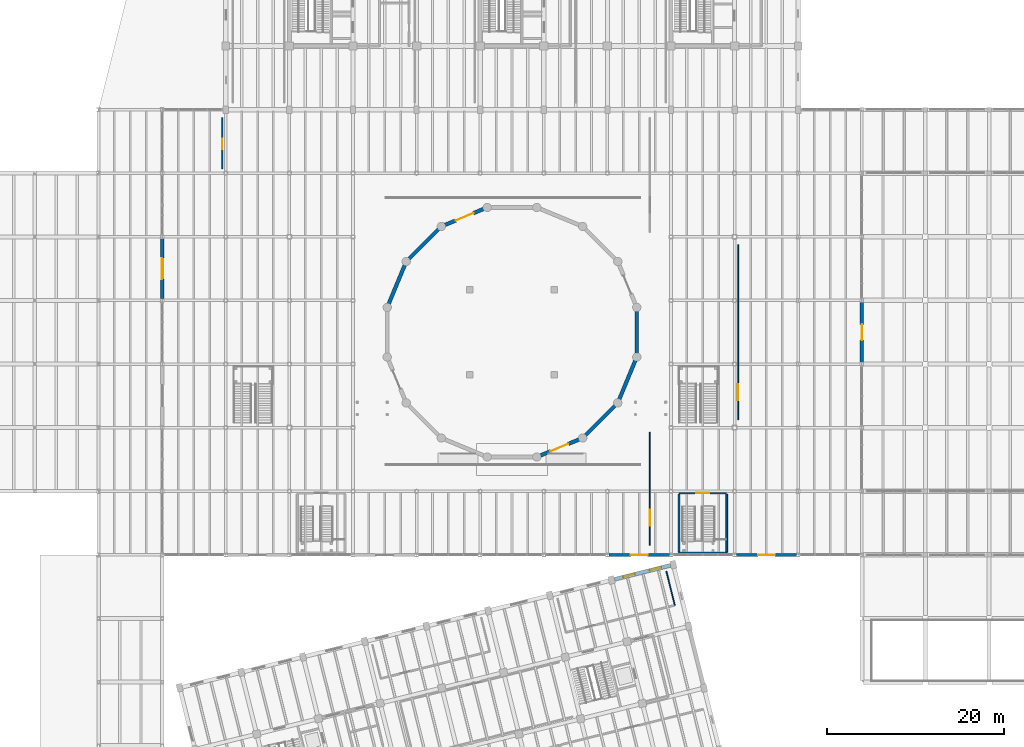
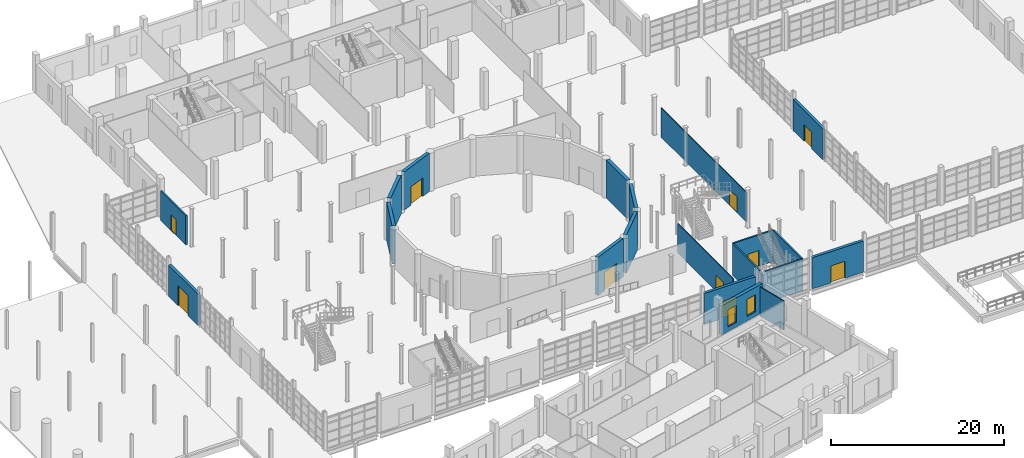
# One storey, part 66 of 79: 20 walls, 10 doors, 2 windows, 12 openings.
"""IFC4 building model written with IfcOpenShell, lengths in metres."""

from ifc_helpers import new_model, si_unit, direction, frame, frame_2d, origin, place, context, subcontext, project, spatial, rectangle, extrude, material, layer, layer_set, type_object, element, fill, save


model = new_model("IFC4")

# Units and contexts
model_context = context("Model", 3, precision=1e-05, world=origin(), true_north=direction((0.0, 1.0)))
body_context = subcontext(model_context, "Body", "Model", "MODEL_VIEW")
ifc_project = project(units=[si_unit("LENGTHUNIT", "METRE"), si_unit("AREAUNIT", "SQUARE_METRE"), si_unit("VOLUMEUNIT", "CUBIC_METRE"), si_unit("PLANEANGLEUNIT", "RADIAN"), si_unit("MASSUNIT", "GRAM", prefix="KILO")], contexts=[model_context])

# Site, building, storey
site_placement = place(None, origin())
site = spatial("IfcSite", under=ifc_project, at=site_placement, CompositionType="ELEMENT")
building_placement = place(site_placement, origin())
building = spatial("IfcBuilding", under=site, at=building_placement, Name="Qiaolan Assembly House", CompositionType="ELEMENT")
storey_placement = place(building_placement, origin())
storey = spatial("IfcBuildingStorey", under=building, at=storey_placement, Name="L00", CompositionType="ELEMENT", Elevation=0.0)

# Wall, opening, door
ifc_material_1 = material(Name="Concrete C50/60", Category="concrete")
ifc_layer_1 = layer(ifc_material_1, 0.419921875)
ifc_layer_set_1 = layer_set([ifc_layer_1], Name="Concrete C50/60")
wall_type_1 = type_object("IfcWallType", Name="WAL-DRUM-420", PredefinedType="SHEAR", material=ifc_layer_set_1)
wall_1_placement = place(storey_placement, frame((60.769287109375, 73.326171875, 0.0), z_axis=(0.0, 0.0, 1.0), x_axis=(0.923882834003, 0.382675461762, 0.0)))
wall_1 = element("IfcWall", 1, at=wall_1_placement, inside=storey, type_object=wall_type_1, Name="DW-420 council chamber drum wall 5 L00", PredefinedType="SHEAR", context=body_context, shape_type="SweptSolid", body=[
    extrude(rectangle(XDim=4.818603515625, YDim=0.419921875, at=frame_2d((2.4091796875, 0.0))), origin(), (0.0, 0.0, 1.0), 5.39990234375),
])
opening_1_placement = place(wall_1_placement, frame((1.35009765625, 0.0, 0.0)))
opening_1 = element("IfcOpeningElement", 2, at=opening_1_placement, cuts=wall_1, Name="Opening CD-145", PredefinedType="OPENING", context=body_context, shape_type="SweptSolid", body=[
    extrude(rectangle(XDim=2.199951171875, YDim=2.60009765625, at=frame_2d((1.10009765625, 1.300048828125))), frame((0.0, 0.219970703125, 0.0), z_axis=(0.0, -1.0, 0.0), x_axis=(1.0, 0.0, 0.0)), (0.0, 0.0, 1.0), 0.43994140625),
])
ifc_material_2 = material(Name="Acoustic oak panelling")
door_type_1 = type_object("IfcDoorType", Name="DOR-CHAMBER-2200", OperationType="DOUBLE_DOOR_SINGLE_SWING", PredefinedType="DOOR", material=ifc_material_2)
door_1_placement = place(opening_1_placement, origin())
door_1 = element("IfcDoor", 3, at=door_1_placement, inside=storey, type_object=door_type_1, Name="Council Chamber ceremonial acoustic door CD-145", OperationType="DOUBLE_DOOR_SINGLE_SWING", OverallHeight=2.60009765625, OverallWidth=2.199951171875, PredefinedType="DOOR", context=body_context, shape_type="SweptSolid", body=[
    extrude(rectangle(XDim=2.199951171875, YDim=2.60009765625, at=frame_2d((1.10009765625, 1.300048828125))), frame((0.0, 0.02490234375, 0.0), z_axis=(0.0, -1.0, 0.0), x_axis=(1.0, 0.0, 0.0)), (0.0, 0.0, 1.0), 0.050048828125),
])
fill(opening_1, door_1)

# Walls
wall_2_placement = place(storey_placement, frame((56.709716796875, 69.483154296875, 0.0), z_axis=(0.0, 0.0, 1.0), x_axis=(0.707106781187, 0.707106781187, 0.0)))
element("IfcWall", 4, at=wall_2_placement, inside=storey, type_object=wall_type_1, Name="DW-420 council chamber drum wall 6 L00", PredefinedType="SHEAR", context=body_context, shape_type="SweptSolid", body=[
    extrude(rectangle(XDim=4.818603515625, YDim=0.419921875, at=frame_2d((2.4091796875, 0.0))), origin(), (0.0, 0.0, 1.0), 5.39990234375),
])
wall_3_placement = place(storey_placement, frame((54.4296875, 64.37890625, 0.0), z_axis=(0.0, 0.0, 1.0), x_axis=(0.382693375129, 0.923875414021, 0.0)))
element("IfcWall", 5, at=wall_3_placement, inside=storey, type_object=wall_type_1, Name="DW-420 council chamber drum wall 7 L00", PredefinedType="SHEAR", context=body_context, shape_type="SweptSolid", body=[
    extrude(rectangle(XDim=4.818359375, YDim=0.419921875, at=frame_2d((2.4091796875, 0.0))), origin(), (0.0, 0.0, 1.0), 5.39990234375),
])

# Wall, opening, door
wall_4_placement = place(storey_placement, frame((76.03076171875, 49.07373046875, 0.0), z_axis=(0.0, 0.0, 1.0), x_axis=(-0.923882834003, -0.382675461762, 0.0)))
wall_4 = element("IfcWall", 6, at=wall_4_placement, inside=storey, type_object=wall_type_1, Name="DW-420 council chamber drum wall 13 L00", PredefinedType="SHEAR", context=body_context, shape_type="SweptSolid", body=[
    extrude(rectangle(XDim=4.818603515625, YDim=0.419921875, at=frame_2d((2.4091796875, 0.0))), origin(), (0.0, 0.0, 1.0), 5.39990234375),
])
opening_2_placement = place(wall_4_placement, frame((1.35009765625, 0.0, 0.0)))
opening_2 = element("IfcOpeningElement", 7, at=opening_2_placement, cuts=wall_4, Name="Opening CD-151", PredefinedType="OPENING", context=body_context, shape_type="SweptSolid", body=[
    extrude(rectangle(XDim=2.199951171875, YDim=2.60009765625, at=frame_2d((1.10009765625, 1.300048828125))), frame((0.0, 0.219970703125, 0.0), z_axis=(0.0, -1.0, 0.0), x_axis=(1.0, 0.0, 0.0)), (0.0, 0.0, 1.0), 0.43994140625),
])
door_2_placement = place(opening_2_placement, origin())
door_2 = element("IfcDoor", 8, at=door_2_placement, inside=storey, type_object=door_type_1, Name="Council Chamber ceremonial acoustic door CD-151", OperationType="DOUBLE_DOOR_SINGLE_SWING", OverallHeight=2.60009765625, OverallWidth=2.199951171875, PredefinedType="DOOR", context=body_context, shape_type="SweptSolid", body=[
    extrude(rectangle(XDim=2.199951171875, YDim=2.60009765625, at=frame_2d((1.10009765625, 1.300048828125))), frame((0.0, 0.02490234375, 0.0), z_axis=(0.0, -1.0, 0.0), x_axis=(1.0, 0.0, 0.0)), (0.0, 0.0, 1.0), 0.050048828125),
])
fill(opening_2, door_2)

# Walls
for number, where, z_axis, x_axis, name in (
    (9, (80.09033203125, 52.9169921875, 0.0), (0.0, 0.0, 1.0), (-0.707106781187, -0.707106781187, 0.0), "DW-420 council chamber drum wall 14 L00"),
    (10, (82.3701171875, 58.021240234375, 0.0), (0.0, 0.0, 1.0), (-0.382675461762, -0.923882834003, 0.0), "DW-420 council chamber drum wall 15 L00"),
    (11, (82.523193359375, 63.609375, 0.0), (0.0, 0.0, 1.0), (0.0, -1.0, 0.0), "DW-420 council chamber drum wall 16 L00"),
):
    element("IfcWall", number, at=place(storey_placement, frame(where, z_axis=z_axis, x_axis=x_axis)), inside=storey, type_object=wall_type_1, Name=name, PredefinedType="SHEAR", context=body_context, shape_type="SweptSolid", body=[
        extrude(rectangle(XDim=4.818603515625, YDim=0.419921875, at=frame_2d((2.4091796875, 0.0))), origin(), (0.0, 0.0, 1.0), 5.39990234375),
    ])

# Wall, opening, door
ifc_material_3 = material(Name="Honed pale limestone", Category="masonry")
ifc_layer_2 = layer(ifc_material_3, 0.360107421875)
ifc_layer_set_2 = layer_set([ifc_layer_2], Name="Honed pale limestone")
wall_type_2 = type_object("IfcWallType", Name="WAL-EXT-LIMESTONE-360", PredefinedType="SOLIDWALL", material=ifc_layer_set_2)
wall_5_placement = place(storey_placement, frame((28.800048828125, 64.998046875, 0.0), z_axis=(0.0, 0.0, 1.0), x_axis=(0.0, 1.0, 0.0)))
wall_5 = element("IfcWall", 12, at=wall_5_placement, inside=storey, type_object=wall_type_2, Name="Public Hall West entrance portal wall 4", PredefinedType="SOLIDWALL", context=body_context, shape_type="SweptSolid", body=[
    extrude(rectangle(XDim=6.803955078125, YDim=0.360107421875, at=frame_2d((3.40185546875, 0.0))), origin(), (0.0, 0.0, 1.0), 4.39990234375),
])
opening_3_placement = place(wall_5_placement, frame((2.201904296875, 0.0, 0.0)))
opening_3 = element("IfcOpeningElement", 13, at=opening_3_placement, cuts=wall_5, Name="Opening HD-024", PredefinedType="OPENING", context=body_context, shape_type="SweptSolid", body=[
    extrude(rectangle(XDim=2.39990234375, YDim=2.800048828125, at=frame_2d((1.199951171875, 1.39990234375))), frame((0.0, 0.18994140625, 0.0), z_axis=(0.0, -1.0, 0.0), x_axis=(1.0, 0.0, 0.0)), (0.0, 0.0, 1.0), 0.380126953125),
])
ifc_material_4 = material(Name="Anodised bronze aluminium", Category="aluminium")
door_type_2 = type_object("IfcDoorType", Name="DOR-ENTRY-MON-2400", OperationType="DOUBLE_DOOR_SINGLE_SWING", PredefinedType="DOOR", material=ifc_material_4)
door_3_placement = place(opening_3_placement, frame((2.39990234375, 0.0, 0.0), z_axis=(0.0, 0.0, 1.0), x_axis=(-1.0, 0.0, 0.0)))
door_3 = element("IfcDoor", 14, at=door_3_placement, inside=storey, type_object=door_type_2, Name="Public Hall West Forecourt entrance door HD-024", OperationType="DOUBLE_DOOR_SINGLE_SWING", OverallHeight=2.800048828125, OverallWidth=2.39990234375, PredefinedType="DOOR", context=body_context, shape_type="SweptSolid", body=[
    extrude(rectangle(XDim=2.39990234375, YDim=2.800048828125, at=frame_2d((1.199951171875, 1.39990234375))), frame((0.0, 0.02490234375, 0.0), z_axis=(0.0, -1.0, 0.0), x_axis=(1.0, 0.0, 0.0)), (0.0, 0.0, 1.0), 0.050048828125),
])
fill(opening_3, door_3)

wall_6_placement = place(storey_placement, frame((79.39794921875, 36.0, 0.0), z_axis=(0.0, 0.0, 1.0), x_axis=(1.0, 0.0, 0.0)))
wall_6 = element("IfcWall", 15, at=wall_6_placement, inside=storey, type_object=wall_type_2, Name="Public Hall South plaza portal 7", PredefinedType="SOLIDWALL", context=body_context, shape_type="SweptSolid", body=[
    extrude(rectangle(XDim=6.803955078125, YDim=0.360107421875, at=frame_2d((3.40185546875, 0.0))), origin(), (0.0, 0.0, 1.0), 4.39990234375),
])
opening_4_placement = place(wall_6_placement, frame((2.451904296875, 0.0, 0.0)))
opening_4 = element("IfcOpeningElement", 16, at=opening_4_placement, cuts=wall_6, Name="Opening HD-027", PredefinedType="OPENING", context=body_context, shape_type="SweptSolid", body=[
    extrude(rectangle(XDim=1.89990234375, YDim=2.39990234375, at=frame_2d((0.949951171875, 1.199951171875))), frame((0.0, 0.18994140625, 0.0), z_axis=(0.0, -1.0, 0.0), x_axis=(1.0, 0.0, 0.0)), (0.0, 0.0, 1.0), 0.380126953125),
])
door_type_3 = type_object("IfcDoorType", Name="DOR-HALL-GLZ-1900", OperationType="DOUBLE_DOOR_SINGLE_SWING", PredefinedType="DOOR", material=ifc_material_4)
door_4_placement = place(opening_4_placement, frame((1.89990234375, 0.0, 0.0), z_axis=(0.0, 0.0, 1.0), x_axis=(-1.0, 0.0, 0.0)))
door_4 = element("IfcDoor", 17, at=door_4_placement, inside=storey, type_object=door_type_3, Name="Public Hall South Forecourt entrance door HD-027", OperationType="DOUBLE_DOOR_SINGLE_SWING", OverallHeight=2.39990234375, OverallWidth=1.89990234375, PredefinedType="DOOR", context=body_context, shape_type="SweptSolid", body=[
    extrude(rectangle(XDim=1.89990234375, YDim=2.39990234375, at=frame_2d((0.949951171875, 1.199951171875))), frame((0.0, 0.02490234375, 0.0), z_axis=(0.0, -1.0, 0.0), x_axis=(1.0, 0.0, 0.0)), (0.0, 0.0, 1.0), 0.050048828125),
])
fill(opening_4, door_4)

wall_7_placement = place(storey_placement, frame((93.798095703125, 36.0, 0.0), z_axis=(0.0, 0.0, 1.0), x_axis=(1.0, 0.0, 0.0)))
wall_7 = element("IfcWall", 18, at=wall_7_placement, inside=storey, type_object=wall_type_2, Name="Public Hall South plaza portal 9", PredefinedType="SOLIDWALL", context=body_context, shape_type="SweptSolid", body=[
    extrude(rectangle(XDim=6.803955078125, YDim=0.360107421875, at=frame_2d((3.40185546875, 0.0))), origin(), (0.0, 0.0, 1.0), 4.39990234375),
])
opening_5_placement = place(wall_7_placement, frame((2.451904296875, 0.0, 0.0)))
opening_5 = element("IfcOpeningElement", 19, at=opening_5_placement, cuts=wall_7, Name="Opening HD-028", PredefinedType="OPENING", context=body_context, shape_type="SweptSolid", body=[
    extrude(rectangle(XDim=1.89990234375, YDim=2.39990234375, at=frame_2d((0.949951171875, 1.199951171875))), frame((0.0, 0.18994140625, 0.0), z_axis=(0.0, -1.0, 0.0), x_axis=(1.0, 0.0, 0.0)), (0.0, 0.0, 1.0), 0.380126953125),
])
door_5_placement = place(opening_5_placement, frame((1.89990234375, 0.0, 0.0), z_axis=(0.0, 0.0, 1.0), x_axis=(-1.0, 0.0, 0.0)))
door_5 = element("IfcDoor", 20, at=door_5_placement, inside=storey, type_object=door_type_3, Name="Public Hall South Forecourt entrance door HD-028", OperationType="DOUBLE_DOOR_SINGLE_SWING", OverallHeight=2.39990234375, OverallWidth=1.89990234375, PredefinedType="DOOR", context=body_context, shape_type="SweptSolid", body=[
    extrude(rectangle(XDim=1.89990234375, YDim=2.39990234375, at=frame_2d((0.949951171875, 1.199951171875))), frame((0.0, 0.02490234375, 0.0), z_axis=(0.0, -1.0, 0.0), x_axis=(1.0, 0.0, 0.0)), (0.0, 0.0, 1.0), 0.050048828125),
])
fill(opening_5, door_5)

wall_8_placement = place(storey_placement, frame((108.0, 64.60205078125, 0.0), z_axis=(0.0, 0.0, 1.0), x_axis=(0.0, -1.0, 0.0)))
wall_8 = element("IfcWall", 21, at=wall_8_placement, inside=storey, type_object=wall_type_2, Name="Public Hall East Cloister Court portal wall", PredefinedType="SOLIDWALL", context=body_context, shape_type="SweptSolid", body=[
    extrude(rectangle(XDim=6.803955078125, YDim=0.360107421875, at=frame_2d((3.40185546875, 0.0))), origin(), (0.0, 0.0, 1.0), 4.39990234375),
])
opening_6_placement = place(wall_8_placement, frame((2.501953125, 0.0, 0.0)))
opening_6 = element("IfcOpeningElement", 22, at=opening_6_placement, cuts=wall_8, Name="Opening HD-029", PredefinedType="OPENING", context=body_context, shape_type="SweptSolid", body=[
    extrude(rectangle(XDim=1.800048828125, YDim=2.35009765625, at=frame_2d((0.89990234375, 1.175048828125))), frame((0.0, 0.18994140625, 0.0), z_axis=(0.0, -1.0, 0.0), x_axis=(1.0, 0.0, 0.0)), (0.0, 0.0, 1.0), 0.380126953125),
])
door_type_4 = type_object("IfcDoorType", Name="DOR-TERR-GLZ-1800", OperationType="DOUBLE_DOOR_SINGLE_SWING", PredefinedType="DOOR", material=ifc_material_4)
door_6_placement = place(opening_6_placement, frame((1.800048828125, 0.0, 0.0), z_axis=(0.0, 0.0, 1.0), x_axis=(-1.0, 0.0, 0.0)))
door_6 = element("IfcDoor", 23, at=door_6_placement, inside=storey, type_object=door_type_4, Name="Cloister Courtyard access door HD-029", OperationType="DOUBLE_DOOR_SINGLE_SWING", OverallHeight=2.35009765625, OverallWidth=1.800048828125, PredefinedType="DOOR", context=body_context, shape_type="SweptSolid", body=[
    extrude(rectangle(XDim=1.800048828125, YDim=2.35009765625, at=frame_2d((0.89990234375, 1.175048828125))), frame((0.0, 0.02490234375, 0.0), z_axis=(0.0, -1.0, 0.0), x_axis=(1.0, 0.0, 0.0)), (0.0, 0.0, 1.0), 0.050048828125),
])
fill(opening_6, door_6)

# Wall, openings, windows
ifc_layer_3 = layer(ifc_material_3, 0.43505859375)
ifc_layer_set_3 = layer_set([ifc_layer_3], Name="Honed pale limestone")
wall_type_3 = type_object("IfcWallType", Name="WAL-EXT-RUSTIC-420", PredefinedType="SOLIDWALL", material=ifc_layer_set_3)
wall_9_placement = place(storey_placement, frame((86.35009765625, 34.81494140625, 0.0), z_axis=(0.0, 0.0, 1.0), x_axis=(-0.970300061562, -0.241904507055, 0.0)))
wall_9 = element("IfcWall", 24, at=wall_9_placement, inside=storey, type_object=wall_type_3, Name="EW-420 SE North court wall L00 bay 8", PredefinedType="SOLIDWALL", context=body_context, shape_type="SweptSolid", body=[
    extrude(rectangle(XDim=6.553955078125, YDim=0.43505859375, at=frame_2d((3.27685546875, 0.0))), origin(), (0.0, 0.0, 1.0), 4.10009765625),
])
opening_7_placement = place(wall_9_placement, frame((1.076904296875, 0.0, 0.64990234375)))
opening_7 = element("IfcOpeningElement", 25, at=opening_7_placement, cuts=wall_9, Name="Opening WN-242", PredefinedType="OPENING", context=body_context, shape_type="SweptSolid", body=[
    extrude(rectangle(XDim=1.35009765625, YDim=2.39990234375, at=frame_2d((0.675048828125, 1.199951171875))), frame((0.0, 0.2275390625, 0.0), z_axis=(0.0, -1.0, 0.0), x_axis=(1.0, 0.0, 0.0)), (0.0, 0.0, 1.0), 0.455078125),
])
opening_8_placement = place(wall_9_placement, frame((4.177001953125, 0.0, 0.64990234375)))
opening_8 = element("IfcOpeningElement", 26, at=opening_8_placement, cuts=wall_9, Name="Opening WN-243", PredefinedType="OPENING", context=body_context, shape_type="SweptSolid", body=[
    extrude(rectangle(XDim=1.35009765625, YDim=2.39990234375, at=frame_2d((0.675048828125, 1.199951171875))), frame((0.0, 0.2275390625, 0.0), z_axis=(0.0, -1.0, 0.0), x_axis=(1.0, 0.0, 0.0)), (0.0, 0.0, 1.0), 0.455078125),
])
ifc_material_5 = material(Name="Low-E double insulating glass", Category="glass")
window_type = type_object("IfcWindowType", Name="WIN-COURT-1350x2400", PartitioningType="DOUBLE_PANEL_VERTICAL", PredefinedType="WINDOW", material=ifc_material_5)
window_1_placement = place(opening_7_placement, origin())
window_1 = element("IfcWindow", 27, at=window_1_placement, inside=storey, type_object=window_type, Name="SE court window WN-242", OverallHeight=2.39990234375, OverallWidth=1.35009765625, PartitioningType="DOUBLE_PANEL_VERTICAL", PredefinedType="WINDOW", context=body_context, shape_type="SweptSolid", body=[
    extrude(rectangle(XDim=1.35009765625, YDim=2.39990234375, at=frame_2d((0.675048828125, 1.199951171875))), frame((0.0, 0.030029296875, 0.0), z_axis=(0.0, -1.0, 0.0), x_axis=(1.0, 0.0, 0.0)), (0.0, 0.0, 1.0), 0.06005859375),
])
fill(opening_7, window_1)
window_2_placement = place(opening_8_placement, origin())
window_2 = element("IfcWindow", 28, at=window_2_placement, inside=storey, type_object=window_type, Name="SE court window WN-243", OverallHeight=2.39990234375, OverallWidth=1.35009765625, PartitioningType="DOUBLE_PANEL_VERTICAL", PredefinedType="WINDOW", context=body_context, shape_type="SweptSolid", body=[
    extrude(rectangle(XDim=1.35009765625, YDim=2.39990234375, at=frame_2d((0.675048828125, 1.199951171875))), frame((0.0, 0.030029296875, 0.0), z_axis=(0.0, -1.0, 0.0), x_axis=(1.0, 0.0, 0.0)), (0.0, 0.0, 1.0), 0.06005859375),
])
fill(opening_8, window_2)

# Wall, opening, door
ifc_material_6 = material(Name="Concrete C35/45", Category="concrete")
ifc_layer_4 = layer(ifc_material_6, 0.199951171875)
ifc_layer_set_4 = layer_set([ifc_layer_4], Name="Concrete C35/45")
wall_type_4 = type_object("IfcWallType", Name="WAL-LOBBY-200", PredefinedType="PARTITIONING", material=ifc_layer_set_4)
wall_10_placement = place(storey_placement, frame((87.300048828125, 42.97998046875, 0.0), z_axis=(0.0, 0.0, 1.0), x_axis=(1.0, 0.0, 0.0)))
wall_10 = element("IfcWall", 29, at=wall_10_placement, inside=storey, type_object=wall_type_4, Name="LW-200 foyer stairwell north wall F2 L00", PredefinedType="PARTITIONING", context=body_context, shape_type="SweptSolid", body=[
    extrude(rectangle(XDim=5.39990234375, YDim=0.199951171875, at=frame_2d((2.699951171875, 0.0))), origin(), (0.0, 0.0, 1.0), 4.419921875),
])
opening_9_placement = place(wall_10_placement, frame((1.949951171875, 0.0, 0.0)))
opening_9 = element("IfcOpeningElement", 30, at=opening_9_placement, cuts=wall_10, Name="Opening FD-920", PredefinedType="OPENING", context=body_context, shape_type="SweptSolid", body=[
    extrude(rectangle(XDim=1.5, YDim=2.199951171875, at=frame_2d((0.75, 1.10009765625))), frame((0.0, 0.10986328125, 0.0), z_axis=(0.0, -1.0, 0.0), x_axis=(1.0, 0.0, 0.0)), (0.0, 0.0, 1.0), 0.219970703125),
])
door_type_5 = type_object("IfcDoorType", Name="DOR-LOBBY-FD60-1500", OperationType="DOUBLE_DOOR_SINGLE_SWING", PredefinedType="DOOR", material=ifc_material_2)
door_7_placement = place(opening_9_placement, origin())
door_7 = element("IfcDoor", 31, at=door_7_placement, inside=storey, type_object=door_type_5, Name="Foyer stairwell fire door FD-920", OperationType="DOUBLE_DOOR_SINGLE_SWING", OverallHeight=2.199951171875, OverallWidth=1.5, PredefinedType="DOOR", context=body_context, shape_type="SweptSolid", body=[
    extrude(rectangle(XDim=1.5, YDim=2.199951171875, at=frame_2d((0.75, 1.10009765625))), frame((0.0, 0.02490234375, 0.0), z_axis=(0.0, -1.0, 0.0), x_axis=(1.0, 0.0, 0.0)), (0.0, 0.0, 1.0), 0.050048828125),
])
fill(opening_9, door_7)

# Walls
wall_11_placement = place(storey_placement, frame((92.699951171875, 36.219970703125, 0.0), z_axis=(0.0, 0.0, 1.0), x_axis=(-1.0, 0.0, 0.0)))
element("IfcWall", 32, at=wall_11_placement, inside=storey, type_object=wall_type_4, Name="LW-200 foyer stairwell south wall F2 L00", PredefinedType="PARTITIONING", context=body_context, shape_type="SweptSolid", body=[
    extrude(rectangle(XDim=5.39990234375, YDim=0.199951171875, at=frame_2d((2.699951171875, 0.0))), origin(), (0.0, 0.0, 1.0), 4.419921875),
])
for number, where, z_axis, x_axis, name in (
    (33, (87.300048828125, 42.8798828125, 0.0), (0.0, 0.0, 1.0), (0.0, -1.0, 0.0), "LW-200 foyer stairwell west wall F2 L00"),
    (34, (92.699951171875, 36.320068359375, 0.0), (0.0, 0.0, 1.0), (0.0, 1.0, 0.0), "LW-200 foyer stairwell east wall F2 L00"),
):
    element("IfcWall", number, at=place(storey_placement, frame(where, z_axis=z_axis, x_axis=x_axis)), inside=storey, type_object=wall_type_4, Name=name, PredefinedType="PARTITIONING", context=body_context, shape_type="SweptSolid", body=[
        extrude(rectangle(XDim=6.559814453125, YDim=0.199951171875, at=frame_2d((3.27978515625, 0.0))), origin(), (0.0, 0.0, 1.0), 4.419921875),
    ])
ifc_material_7 = material(Name="Gypsum plasterboard partition")
ifc_layer_5 = layer(ifc_material_7, 0.1201171875)
ifc_layer_set_5 = layer_set([ifc_layer_5], Name="Gypsum plasterboard partition")
wall_type_5 = type_object("IfcWallType", Name="WAL-PART-120", PredefinedType="PARTITIONING", material=ifc_layer_set_5)
wall_12_placement = place(storey_placement, frame((85.874755859375, 34.129638671875, 0.0), z_axis=(0.0, 0.0, 1.0), x_axis=(0.241910239337, -0.970298632434, 0.0)))
element("IfcWall", 35, at=wall_12_placement, inside=storey, type_object=wall_type_5, Name="Boulevard Wing Project Office L00 east wall", PredefinedType="PARTITIONING", context=body_context, shape_type="SweptSolid", body=[
    extrude(rectangle(XDim=3.9501953125, YDim=0.1201171875, at=frame_2d((1.97509765625, 0.0))), origin(), (0.0, 0.0, 1.0), 4.1201171875),
])

# Wall, opening, door
ifc_material_8 = material(Name="Gypsum acoustic stud wall")
ifc_layer_6 = layer(ifc_material_8, 0.2119140625)
ifc_layer_set_6 = layer_set([ifc_layer_6], Name="Gypsum acoustic stud wall")
wall_type_6 = type_object("IfcWallType", Name="WAL-PART-ACOUSTIC-200", PredefinedType="PARTITIONING", material=ifc_layer_set_6)
wall_13_placement = place(storey_placement, frame((35.60009765625, 79.699951171875, 0.0), z_axis=(0.0, 0.0, 1.0), x_axis=(0.0, 1.0, 0.0)))
wall_13 = element("IfcWall", 36, at=wall_13_placement, inside=storey, type_object=wall_type_6, Name="Fire Control & Security Command Room partition wall", PredefinedType="PARTITIONING", context=body_context, shape_type="SweptSolid", body=[
    extrude(rectangle(XDim=5.800048828125, YDim=0.2119140625, at=frame_2d((2.89990234375, 0.0))), origin(), (0.0, 0.0, 1.0), 4.1201171875),
])
opening_10_placement = place(wall_13_placement, frame((2.199951171875, 0.0, 0.0)))
opening_10 = element("IfcOpeningElement", 37, at=opening_10_placement, cuts=wall_13, Name="Opening FD-154", PredefinedType="OPENING", context=body_context, shape_type="SweptSolid", body=[
    extrude(rectangle(XDim=1.199951171875, YDim=2.199951171875, at=frame_2d((0.60009765625, 1.10009765625))), frame((0.0, 0.115966796875, 0.0), z_axis=(0.0, -1.0, 0.0), x_axis=(1.0, 0.0, 0.0)), (0.0, 0.0, 1.0), 0.23193359375),
])
ifc_material_9 = material(Name="Steel Q355B", Category="steel")
door_type_6 = type_object("IfcDoorType", Name="DOR-FIRE-FD90-1200", OperationType="NOTDEFINED", PredefinedType="DOOR", material=ifc_material_9)
door_8_placement = place(opening_10_placement, origin())
door_8 = element("IfcDoor", 38, at=door_8_placement, inside=storey, type_object=door_type_6, Name="Fire Control & Security Command Room door FD-154", OperationType="SINGLE_SWING_LEFT", OverallHeight=2.199951171875, OverallWidth=1.199951171875, PredefinedType="DOOR", context=body_context, shape_type="SweptSolid", body=[
    extrude(rectangle(XDim=1.199951171875, YDim=2.199951171875, at=frame_2d((0.60009765625, 1.10009765625))), frame((0.0, 0.02490234375, 0.0), z_axis=(0.0, -1.0, 0.0), x_axis=(1.0, 0.0, 0.0)), (0.0, 0.0, 1.0), 0.050048828125),
])
fill(opening_10, door_8)

ifc_layer_7 = layer(ifc_material_5, 0.10498046875)
ifc_layer_set_7 = layer_set([ifc_layer_7], Name="Low-E double insulating glass")
wall_type_7 = type_object("IfcWallType", Name="WAL-PART-GLAZED-120", PredefinedType="PARTITIONING", material=ifc_layer_set_7)
wall_14_placement = place(storey_placement, frame((84.0, 37.10009765625, 0.0), z_axis=(0.0, 0.0, 1.0), x_axis=(0.0, 1.0, 0.0)))
wall_14 = element("IfcWall", 39, at=wall_14_placement, inside=storey, type_object=wall_type_7, Name="Civic Protocol & Ceremonial Reception Hall partition wall", PredefinedType="PARTITIONING", context=body_context, shape_type="SweptSolid", body=[
    extrude(rectangle(XDim=12.7998046875, YDim=0.10498046875, at=frame_2d((6.39990234375, 0.0))), origin(), (0.0, 0.0, 1.0), 4.1201171875),
])
opening_11_placement = place(wall_14_placement, frame((2.199951171875, 0.0, 0.0)))
opening_11 = element("IfcOpeningElement", 40, at=opening_11_placement, cuts=wall_14, Name="Opening GD-157", PredefinedType="OPENING", context=body_context, shape_type="SweptSolid", body=[
    extrude(rectangle(XDim=1.800048828125, YDim=2.199951171875, at=frame_2d((0.89990234375, 1.10009765625))), frame((0.0, 0.0625, 0.0), z_axis=(0.0, -1.0, 0.0), x_axis=(1.0, 0.0, 0.0)), (0.0, 0.0, 1.0), 0.125),
])
door_type_7 = type_object("IfcDoorType", Name="DOR-CORR-DBL-1800", OperationType="DOUBLE_DOOR_SINGLE_SWING", PredefinedType="DOOR", material=ifc_material_4)
door_9_placement = place(opening_11_placement, origin())
door_9 = element("IfcDoor", 41, at=door_9_placement, inside=storey, type_object=door_type_7, Name="Civic Protocol & Ceremonial Reception Hall door GD-157", OperationType="DOUBLE_DOOR_SINGLE_SWING", OverallHeight=2.199951171875, OverallWidth=1.800048828125, PredefinedType="DOOR", context=body_context, shape_type="SweptSolid", body=[
    extrude(rectangle(XDim=1.800048828125, YDim=2.199951171875, at=frame_2d((0.89990234375, 1.10009765625))), frame((0.0, 0.02490234375, 0.0), z_axis=(0.0, -1.0, 0.0), x_axis=(1.0, 0.0, 0.0)), (0.0, 0.0, 1.0), 0.050048828125),
])
fill(opening_11, door_9)

wall_15_placement = place(storey_placement, frame((94.0, 51.300048828125, 0.0), z_axis=(0.0, 0.0, 1.0), x_axis=(0.0, 1.0, 0.0)))
wall_15 = element("IfcWall", 42, at=wall_15_placement, inside=storey, type_object=wall_type_7, Name="Municipal Publications & Civic Shop partition wall", PredefinedType="PARTITIONING", context=body_context, shape_type="SweptSolid", body=[
    extrude(rectangle(XDim=19.800048828125, YDim=0.10498046875, at=frame_2d((9.89990234375, 0.0))), origin(), (0.0, 0.0, 1.0), 4.1201171875),
])
opening_12_placement = place(wall_15_placement, frame((2.199951171875, 0.0, 0.0)))
opening_12 = element("IfcOpeningElement", 43, at=opening_12_placement, cuts=wall_15, Name="Opening GD-159", PredefinedType="OPENING", context=body_context, shape_type="SweptSolid", body=[
    extrude(rectangle(XDim=1.800048828125, YDim=2.199951171875, at=frame_2d((0.89990234375, 1.10009765625))), frame((0.0, 0.0625, 0.0), z_axis=(0.0, -1.0, 0.0), x_axis=(1.0, 0.0, 0.0)), (0.0, 0.0, 1.0), 0.125),
])
door_10_placement = place(opening_12_placement, origin())
door_10 = element("IfcDoor", 44, at=door_10_placement, inside=storey, type_object=door_type_7, Name="Municipal Publications & Civic Shop door GD-159", OperationType="DOUBLE_DOOR_SINGLE_SWING", OverallHeight=2.199951171875, OverallWidth=1.800048828125, PredefinedType="DOOR", context=body_context, shape_type="SweptSolid", body=[
    extrude(rectangle(XDim=1.800048828125, YDim=2.199951171875, at=frame_2d((0.89990234375, 1.10009765625))), frame((0.0, 0.02490234375, 0.0), z_axis=(0.0, -1.0, 0.0), x_axis=(1.0, 0.0, 0.0)), (0.0, 0.0, 1.0), 0.050048828125),
])
fill(opening_12, door_10)

save(model, "model.ifc")
